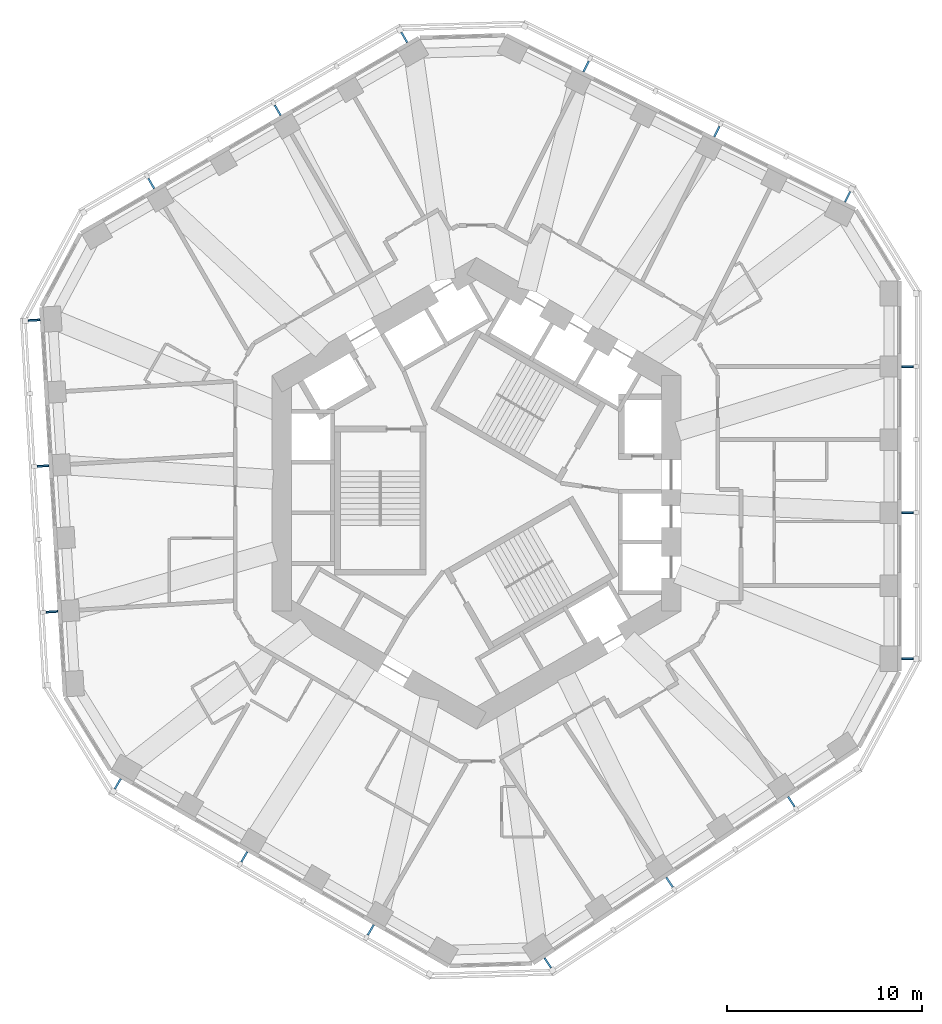
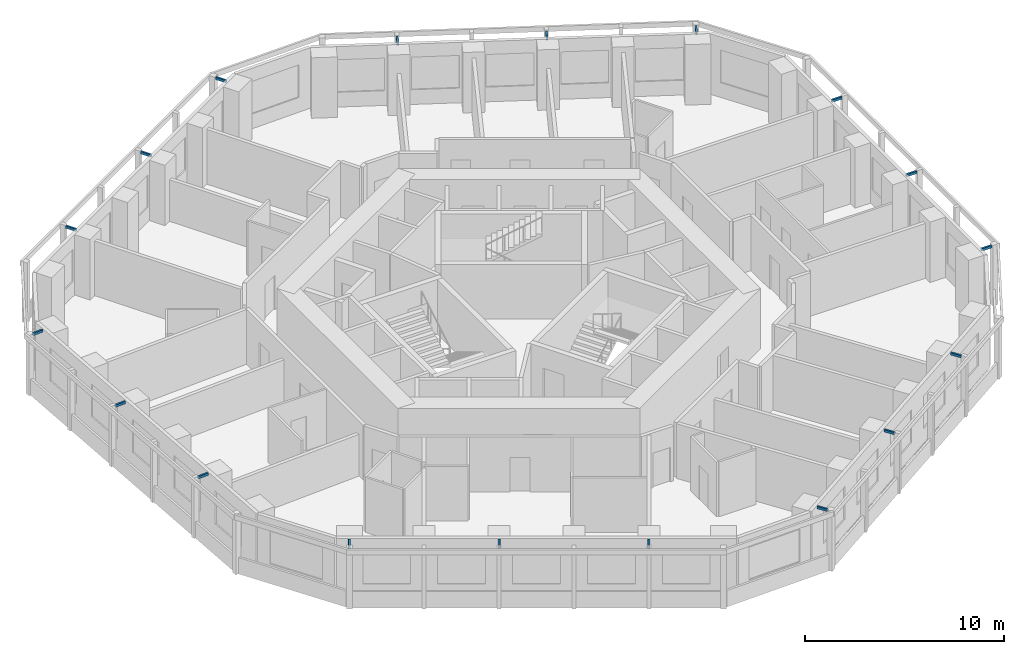
# One storey, part 10 of 11: 18 discrete accessories.
"""IFC4 building model written with IfcOpenShell, lengths in metres."""

from ifc_helpers import new_model, si_unit, direction, frame, origin, origin_2d, place, context, subcontext, project, spatial, rectangle, extrude, material, type_object, element, save


model = new_model("IFC4")

# Units and contexts
model_context = context("Model", 3, precision=1e-05, world=origin(), true_north=direction((0.0, 1.0)))
body_context = subcontext(model_context, "Body", "Model", "MODEL_VIEW")
ifc_project = project(units=[si_unit("LENGTHUNIT", "METRE"), si_unit("AREAUNIT", "SQUARE_METRE"), si_unit("VOLUMEUNIT", "CUBIC_METRE"), si_unit("PLANEANGLEUNIT", "RADIAN"), si_unit("MASSUNIT", "GRAM", prefix="KILO")], contexts=[model_context])

# Site, building, storey
site_placement = place(None, origin())
site = spatial("IfcSite", under=ifc_project, at=site_placement, CompositionType="ELEMENT")
building_placement = place(site_placement, origin())
building = spatial("IfcBuilding", under=site, at=building_placement, Name="Vanh Sen Convention Tower", CompositionType="ELEMENT")
storey_placement = place(building_placement, frame((0.0, 0.0, 135.5)))
storey = spatial("IfcBuildingStorey", under=building, at=storey_placement, Name="L33", CompositionType="ELEMENT", Elevation=135.5)

# Discrete accessories
ifc_material = material(Name="Steel S355", Category="steel")
discrete_accessory_type = type_object("IfcDiscreteAccessoryType", Name="Fin bracket 100 x 150", PredefinedType="BRACKET", material=ifc_material)
for number, where, z_axis, x_axis, name in (
    (1, (22.14990234375, -8.5009765625, 3.5), (0.0, 0.0, 1.0), (1.0, 0.0, 0.0), "Fin bracket E-1 L33"),
    (2, (22.14990234375, -0.992919921875, 3.5), (0.0, 0.0, 1.0), (1.0, 0.0, 0.0), "Fin bracket E-3 L33"),
    (3, (22.14990234375, 6.515380859375, 3.5), (0.0, 0.0, 1.0), (1.0, 0.0, 0.0), "Fin bracket E-5 L33"),
    (4, (19.073974609375, 15.240478515625, 3.5), (0.0, 0.0, 1.0), (0.44619781311, 0.894934361602, 0.0), "Fin bracket NE-1 L33"),
    (5, (12.3544921875, 18.5908203125, 3.5), (0.0, 0.0, 1.0), (0.44619781311, 0.894934361602, 0.0), "Fin bracket NE-3 L33"),
    (6, (5.635009765625, 21.94091796875, 3.5), (0.0, 0.0, 1.0), (0.44619781311, 0.894934361602, 0.0), "Fin bracket NE-5 L33"),
    (7, (-3.712890625, 23.432861328125, 3.5), (0.0, 0.0, 1.0), (-0.5, 0.866025403784, 0.0), "Fin bracket NW-1 L33"),
    (8, (-10.215087890625, 19.6787109375, 3.5), (0.0, 0.0, 1.0), (-0.5, 0.866025403784, 0.0), "Fin bracket NW-3 L33"),
    (9, (-16.717529296875, 15.9248046875, 3.5), (0.0, 0.0, 1.0), (-0.5, 0.866025403784, 0.0), "Fin bracket NW-5 L33"),
    (10, (-22.735595703125, 8.898193359375, 3.5), (0.0, 0.0, 1.0), (-0.998134798422, -0.061048539535, 0.0), "Fin bracket W-1 L33"),
    (11, (-22.277099609375, 1.40380859375, 3.5), (0.0, 0.0, 1.0), (-0.998134798422, -0.061048539535, 0.0), "Fin bracket W-3 L33"),
    (12, (-21.81884765625, -6.09033203125, 3.5), (0.0, 0.0, 1.0), (-0.998134798422, -0.061048539535, 0.0), "Fin bracket W-5 L33"),
    (13, (-18.43701171875, -14.931884765625, 3.5), (0.0, 0.0, 1.0), (-0.5, -0.866025403784, 0.0), "Fin bracket SW-1 L33"),
    (14, (-11.934814453125, -18.68603515625, 3.5), (0.0, 0.0, 1.0), (-0.5, -0.866025403784, 0.0), "Fin bracket SW-3 L33"),
    (15, (-5.4326171875, -22.440185546875, 3.5), (0.0, 0.0, 1.0), (-0.5, -0.866025403784, 0.0), "Fin bracket SW-5 L33"),
    (16, (3.66162109375, -24.138671875, 3.5), (0.0, 0.0, 1.0), (0.551936985312, -0.833885822067, 0.0), "Fin bracket SE-1 L33"),
    (17, (9.922607421875, -19.99462890625, 3.5), (0.0, 0.0, 1.0), (0.551936985312, -0.833885822067, 0.0), "Fin bracket SE-3 L33"),
    (18, (16.18359375, -15.8505859375, 3.5), (0.0, 0.0, 1.0), (0.551936985312, -0.833885822067, 0.0), "Fin bracket SE-5 L33"),
):
    element("IfcDiscreteAccessory", number, at=place(storey_placement, frame(where, z_axis=z_axis, x_axis=x_axis)), inside=storey, type_object=discrete_accessory_type, Name=name, PredefinedType="BRACKET", context=body_context, shape_type="SweptSolid", body=[
        extrude(rectangle(XDim=0.60009765625, YDim=0.10009765625, at=origin_2d()), origin(), (0.0, 0.0, 1.0), 0.14990234375),
    ])

save(model, "model.ifc")
